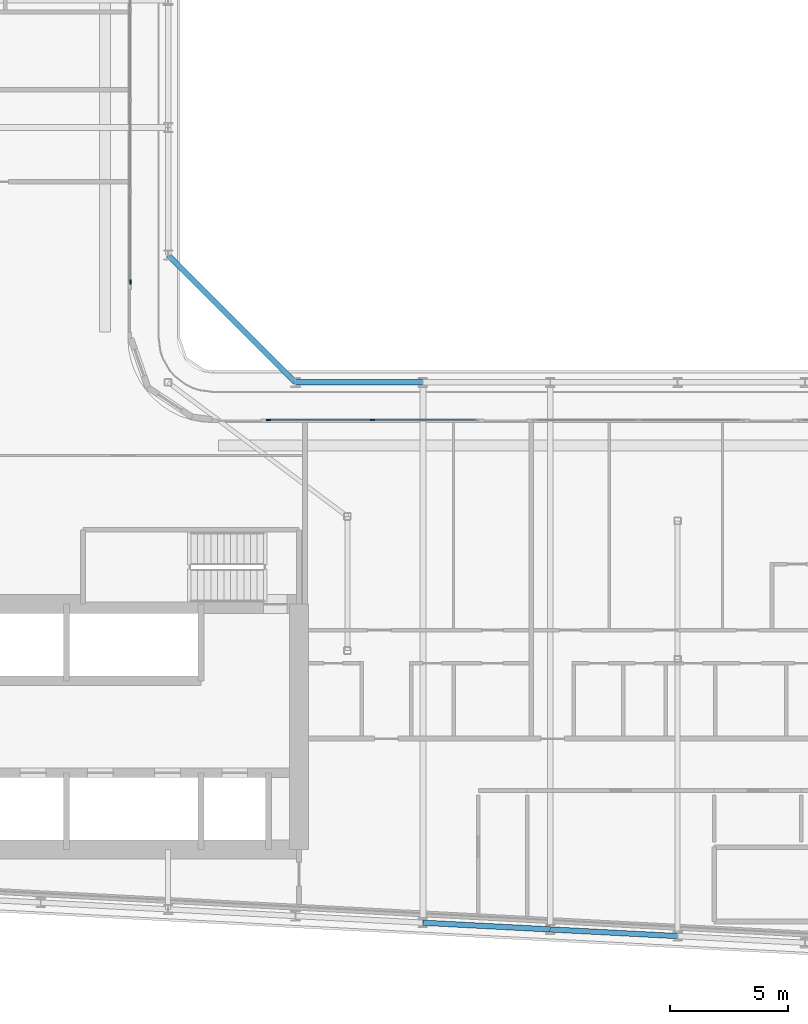
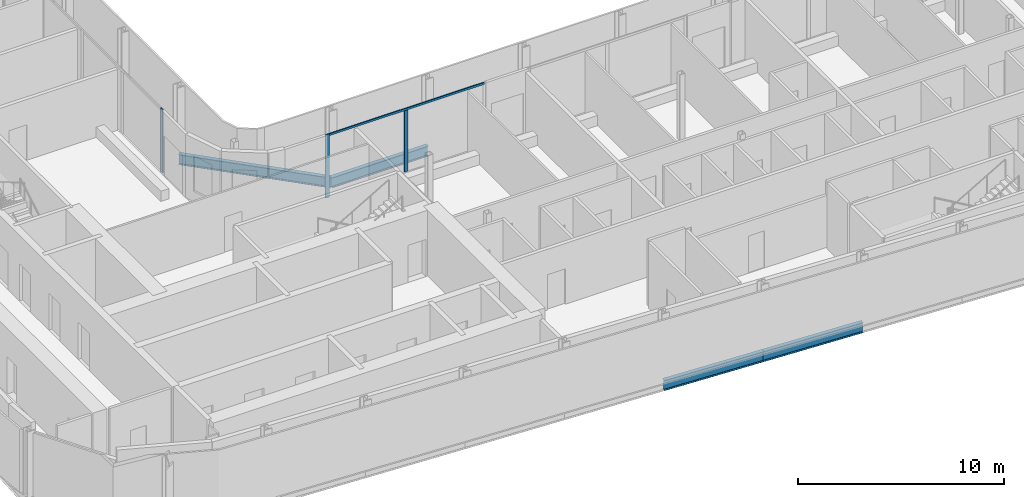
# One storey, part 6 of 29: 4 beams, 4 members, 2 elements without a shape of their own.
"""IFC4 building model written with IfcOpenShell, lengths in metres."""

from ifc_helpers import new_model, si_unit, direction, frame, origin, origin_2d, place, context, subcontext, project, spatial, rectangle, i_section, extrude, material, layer, layer_set, material_profile, profile_set, type_object, element, aggregate, save


model = new_model("IFC4")

# Units and contexts
model_context = context("Model", 3, precision=1e-05, world=origin(), true_north=direction((0.0, 1.0)))
body_context = subcontext(model_context, "Body", "Model", "MODEL_VIEW")
ifc_project = project(units=[si_unit("LENGTHUNIT", "METRE"), si_unit("AREAUNIT", "SQUARE_METRE"), si_unit("VOLUMEUNIT", "CUBIC_METRE"), si_unit("PLANEANGLEUNIT", "RADIAN"), si_unit("MASSUNIT", "GRAM", prefix="KILO")], contexts=[model_context])

# Site, building, storey
site_placement = place(None, origin())
site = spatial("IfcSite", under=ifc_project, at=site_placement, CompositionType="ELEMENT")
building_placement = place(site_placement, origin())
building = spatial("IfcBuilding", under=site, at=building_placement, Name="Kheshtan School and Residences Tower", CompositionType="ELEMENT")
storey_placement = place(building_placement, frame((0.0, 0.0, 168.199951171875)))
storey = spatial("IfcBuildingStorey", under=building, at=storey_placement, Name="L39", CompositionType="ELEMENT", Elevation=168.199951171875)

# Beams
ifc_material_1 = material(Name="Steel ASTM A992 Grade 50", Category="steel")
ifc_material_profile_1 = material_profile(ifc_material_1, i_section(OverallWidth=0.22802734375, OverallDepth=0.60302734375, WebThickness=0.010498046875, FlangeThickness=0.014892578125, FilletRadius=0.013427734375, at=origin_2d()), Name="W610x101")
ifc_profile_set_1 = profile_set([ifc_material_profile_1], Name="Steel ASTM A992 Grade 50")
beam_type = type_object("IfcBeamType", Name="Beam SP2 W610x101 ASTM A992 Grade 50", PredefinedType="BEAM", material=ifc_profile_set_1)
beam_1_placement = place(storey_placement, frame((47.60009765625, 51.0, -0.451416015625), z_axis=(0.707106781187, -0.707106781187, 0.0), x_axis=(0.707106781187, 0.707106781187, 0.0)))
element("IfcBeam", 1, at=beam_1_placement, inside=storey, type_object=beam_type, Name="Spandrel beam C079-C061", PredefinedType="BEAM", context=body_context, shape_type="SweptSolid", body=[
    extrude(i_section(OverallWidth=0.22802734375, OverallDepth=0.60302734375, WebThickness=0.010498046875, FlangeThickness=0.014892578125, FilletRadius=0.013427734375, at=origin_2d()), origin(), (0.0, 0.0, 1.0), 7.63671875),
])
beam_2_placement = place(storey_placement, frame((53.0, 45.60009765625, -0.451416015625), z_axis=(1.0, 0.0, 0.0), x_axis=(0.0, 1.0, 0.0)))
element("IfcBeam", 2, at=beam_2_placement, inside=storey, type_object=beam_type, Name="Spandrel beam C061-C062", PredefinedType="BEAM", context=body_context, shape_type="SweptSolid", body=[
    extrude(i_section(OverallWidth=0.22802734375, OverallDepth=0.60302734375, WebThickness=0.010498046875, FlangeThickness=0.014892578125, FilletRadius=0.013427734375, at=origin_2d()), origin(), (0.0, 0.0, 1.0), 5.39990234375),
])
beam_3_placement = place(storey_placement, frame((69.199951171875, 22.126953125, -0.451416015625), z_axis=(-0.998620447272, 0.05250906864, 0.0), x_axis=(-0.05250906864, -0.998620447272, 0.0)))
element("IfcBeam", 3, at=beam_3_placement, inside=storey, type_object=beam_type, Name="Spandrel beam C014-C016", PredefinedType="BEAM", context=body_context, shape_type="SweptSolid", body=[
    extrude(i_section(OverallWidth=0.22802734375, OverallDepth=0.60302734375, WebThickness=0.010498046875, FlangeThickness=0.014892578125, FilletRadius=0.013427734375, at=origin_2d()), origin(), (0.0, 0.0, 1.0), 5.407470703125),
])
beam_4_placement = place(storey_placement, frame((63.800048828125, 22.410888671875, -0.451416015625), z_axis=(-0.998618203458, 0.052551724256, 0.0), x_axis=(-0.052551724256, -0.998618203458, 0.0)))
element("IfcBeam", 4, at=beam_4_placement, inside=storey, type_object=beam_type, Name="Spandrel beam C016-C018", PredefinedType="BEAM", context=body_context, shape_type="SweptSolid", body=[
    extrude(i_section(OverallWidth=0.22802734375, OverallDepth=0.60302734375, WebThickness=0.010498046875, FlangeThickness=0.014892578125, FilletRadius=0.013427734375, at=origin_2d()), origin(), (0.0, 0.0, 1.0), 5.40771484375),
])

# Curtain wall, member
ifc_material_2 = material(Name="Clear low-e glass in thermally broken aluminium frame", Category="aluminium")
ifc_layer = layer(ifc_material_2, 0.199951171875)
ifc_layer_set = layer_set([ifc_layer], Name="Curtain wall CW-L")
curtain_wall_type = type_object("IfcCurtainWallType", Name="Curtain wall CW-L", PredefinedType="NOTDEFINED", material=ifc_layer_set)
curtain_wall_1_placement = place(storey_placement, origin())
curtain_wall_1 = element("IfcCurtainWall", 5, at=curtain_wall_1_placement, inside=storey, type_object=curtain_wall_type, Name="Curtain wall CWL8", PredefinedType="NOTDEFINED")
ifc_material_3 = material(Name="Thermally broken aluminium, dark bronze anodised", Category="aluminium")
ifc_material_profile_2 = material_profile(ifc_material_3, rectangle(XDim=0.06005859375, YDim=0.199951171875, at=origin_2d()), Name="CW-L mullion 60x200")
ifc_profile_set_2 = profile_set([ifc_material_profile_2], Name="Thermally broken aluminium, dark bronze anodised")
member_type_1 = type_object("IfcMemberType", Name="CW-L mullion 60x200", PredefinedType="MULLION", material=ifc_profile_set_2)
member_1_placement = place(storey_placement, frame((46.0, 49.860107421875, 0.0), z_axis=(0.0, 0.0, 1.0), x_axis=(1.0, 0.0, 0.0)))
member_1 = element("IfcMember", 6, at=member_1_placement, type_object=member_type_1, Name="CWL8 mullion 3", PredefinedType="MULLION", context=body_context, shape_type="SweptSolid", body=[
    extrude(rectangle(XDim=0.06005859375, YDim=0.199951171875, at=origin_2d()), origin(), (0.0, 0.0, 1.0), 3.75),
])
aggregate(curtain_wall_1, [member_1])

# Curtain wall, members
curtain_wall_2_placement = place(storey_placement, origin())
curtain_wall_2 = element("IfcCurtainWall", 7, at=curtain_wall_2_placement, inside=storey, type_object=curtain_wall_type, Name="Curtain wall CWL12f", PredefinedType="NOTDEFINED")
member_2_placement = place(storey_placement, frame((51.860107421875, 44.0, 0.0), z_axis=(0.0, 0.0, 1.0), x_axis=(0.0, 1.0, 0.0)))
member_2 = element("IfcMember", 8, at=member_2_placement, type_object=member_type_1, Name="CWL12f mullion 1", PredefinedType="MULLION", context=body_context, shape_type="SweptSolid", body=[
    extrude(rectangle(XDim=0.06005859375, YDim=0.199951171875, at=origin_2d()), origin(), (0.0, 0.0, 1.0), 3.75),
])
member_3_placement = place(storey_placement, frame((56.263671875, 44.0, 0.0), z_axis=(0.0, 0.0, 1.0), x_axis=(0.0, 1.0, 0.0)))
member_3 = element("IfcMember", 9, at=member_3_placement, type_object=member_type_1, Name="CWL12f mullion 2", PredefinedType="MULLION", context=body_context, shape_type="SweptSolid", body=[
    extrude(rectangle(XDim=0.06005859375, YDim=0.199951171875, at=origin_2d()), origin(), (0.0, 0.0, 1.0), 3.630126953125),
])
ifc_material_profile_3 = material_profile(ifc_material_3, rectangle(XDim=0.06005859375, YDim=0.1201171875, at=origin_2d()), Name="CW-L transom 60x120")
ifc_profile_set_3 = profile_set([ifc_material_profile_3], Name="Thermally broken aluminium, dark bronze anodised")
member_type_2 = type_object("IfcMemberType", Name="CW-L transom 60x120", PredefinedType="USERDEFINED", material=ifc_profile_set_3)
member_4_placement = place(storey_placement, frame((51.889892578125, 44.0, 3.68994140625), z_axis=(1.0, 0.0, 0.0), x_axis=(0.0, 1.0, 0.0)))
member_4 = element("IfcMember", 10, at=member_4_placement, type_object=member_type_2, Name="CWL12f transom 1", ObjectType="TRANSOM", PredefinedType="USERDEFINED", context=body_context, shape_type="SweptSolid", body=[
    extrude(rectangle(XDim=0.06005859375, YDim=0.1201171875, at=origin_2d()), origin(), (0.0, 0.0, 1.0), 8.74755859375),
])
aggregate(curtain_wall_2, [member_2, member_3, member_4])

save(model, "model.ifc")
